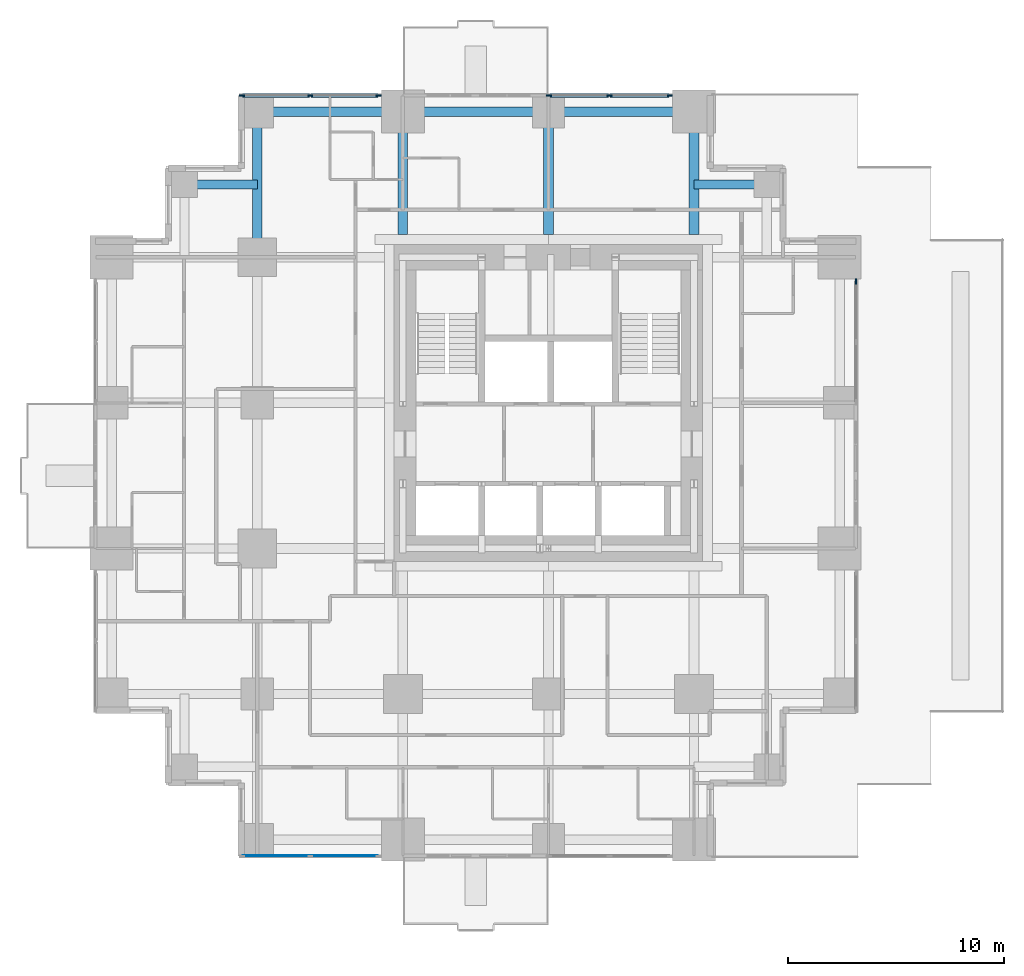
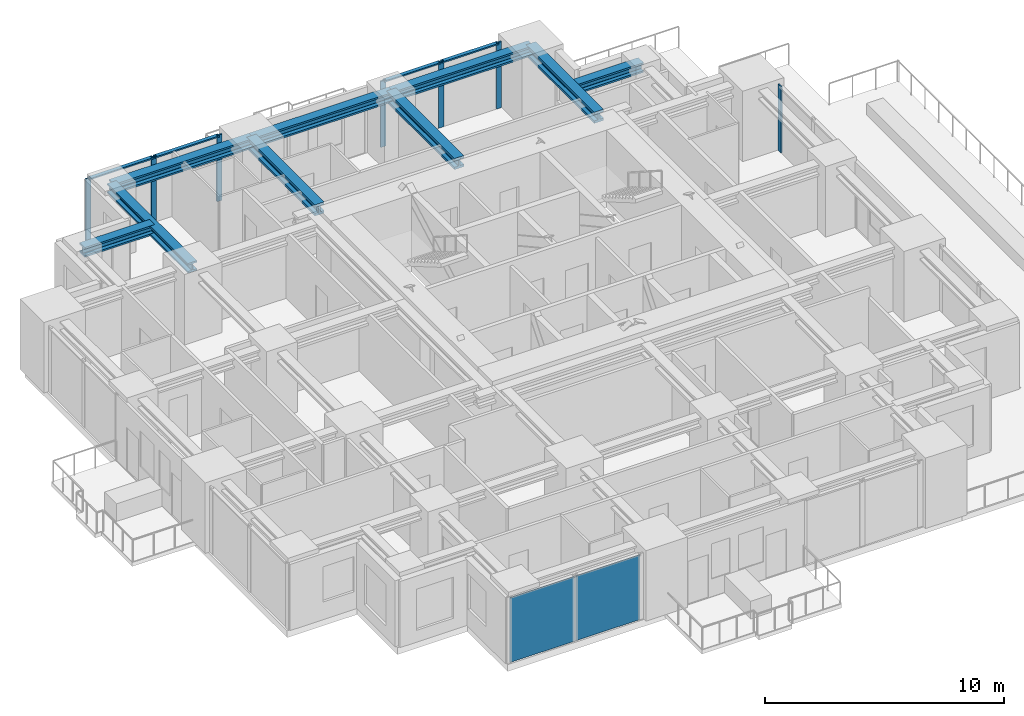
# One storey, part 3 of 10: 11 members, 9 beams, 2 plates, 4 elements without a shape of their own.
"""IFC4 building model written with IfcOpenShell, lengths in metres."""

from ifc_helpers import new_model, si_unit, direction, frame, origin, origin_2d, place, context, subcontext, project, spatial, rectangle, i_section, extrude, material, layer, layer_set, material_profile, profile_set, type_object, element, aggregate, save


model = new_model("IFC4")

# Units and contexts
model_context = context("Model", 3, precision=1e-05, world=origin(), true_north=direction((0.0, 1.0)))
body_context = subcontext(model_context, "Body", "Model", "MODEL_VIEW")
ifc_project = project(units=[si_unit("LENGTHUNIT", "METRE"), si_unit("AREAUNIT", "SQUARE_METRE"), si_unit("VOLUMEUNIT", "CUBIC_METRE"), si_unit("PLANEANGLEUNIT", "RADIAN"), si_unit("MASSUNIT", "GRAM", prefix="KILO")], contexts=[model_context])

# Site, building, storey
site_placement = place(None, origin())
site = spatial("IfcSite", under=ifc_project, at=site_placement, CompositionType="ELEMENT")
building_placement = place(site_placement, origin())
building = spatial("IfcBuilding", under=site, at=building_placement, Name="Nyansa Garden Tower", CompositionType="ELEMENT")
storey_placement = place(building_placement, frame((0.0, 0.0, 142.199951171875)))
storey = spatial("IfcBuildingStorey", under=building, at=storey_placement, Name="L38", CompositionType="ELEMENT", Elevation=142.199951171875)

# Curtain wall, member
ifc_material_1 = material(Name="Black anodised aluminium, dark tinted double glazing", Category="aluminium")
curtain_wall_type = type_object("IfcCurtainWallType", Name="Inner skin curtain wall ISW-C", PredefinedType="USERDEFINED", material=ifc_material_1)
curtain_wall_1_placement = place(storey_placement, origin())
curtain_wall_1 = element("IfcCurtainWall", 1, at=curtain_wall_1_placement, inside=storey, type_object=curtain_wall_type, Name="Inner skin curtain wall L38 E", ObjectType="UNITISED CURTAIN WALL", PredefinedType="USERDEFINED")
ifc_material_2 = material(Name="Black anodised aluminium", Category="aluminium")
ifc_material_profile_1 = material_profile(ifc_material_2, rectangle(XDim=0.070068359375, YDim=0.25, at=origin_2d()), Name="Mullion 250x70")
ifc_profile_set_1 = profile_set([ifc_material_profile_1], Name="Black anodised aluminium")
member_type_1 = type_object("IfcMemberType", Name="Mullion ISW-C 250x70", PredefinedType="MULLION", material=ifc_profile_set_1)
member_1_placement = place(storey_placement, frame((34.5, 25.875, 0.0), z_axis=(0.0, 0.0, 1.0), x_axis=(-1.0, 0.0, 0.0)))
member_1 = element("IfcMember", 2, at=member_1_placement, type_object=member_type_1, Name="ISW-C mullion 3", PredefinedType="MULLION", context=body_context, shape_type="SweptSolid", body=[
    extrude(rectangle(XDim=0.070068359375, YDim=0.25, at=origin_2d()), origin(), (0.0, 0.0, 1.0), 3.375),
])
aggregate(curtain_wall_1, [member_1])

# Curtain wall, members
curtain_wall_2_placement = place(storey_placement, origin())
curtain_wall_2 = element("IfcCurtainWall", 3, at=curtain_wall_2_placement, inside=storey, type_object=curtain_wall_type, Name="Inner skin curtain wall L38 N", ObjectType="UNITISED CURTAIN WALL", PredefinedType="USERDEFINED")
member_2_placement = place(storey_placement, frame((12.375, 34.5, 0.0), z_axis=(0.0, 0.0, 1.0), x_axis=(0.0, -1.0, 0.0)))
member_2 = element("IfcMember", 4, at=member_2_placement, type_object=member_type_1, Name="ISW-C mullion 1", PredefinedType="MULLION", context=body_context, shape_type="SweptSolid", body=[
    extrude(rectangle(XDim=0.070068359375, YDim=0.25, at=origin_2d()), origin(), (0.0, 0.0, 1.0), 3.375),
])
member_3_placement = place(storey_placement, frame((9.205078125, 34.5, 0.0), z_axis=(0.0, 0.0, 1.0), x_axis=(0.0, -1.0, 0.0)))
member_3 = element("IfcMember", 5, at=member_3_placement, type_object=member_type_1, Name="ISW-C mullion 2", PredefinedType="MULLION", context=body_context, shape_type="SweptSolid", body=[
    extrude(rectangle(XDim=0.070068359375, YDim=0.25, at=origin_2d()), origin(), (0.0, 0.0, 1.0), 3.375),
])
member_4_placement = place(storey_placement, frame((6.034912109375, 34.5, 0.0), z_axis=(0.0, 0.0, 1.0), x_axis=(0.0, -1.0, 0.0)))
member_4 = element("IfcMember", 6, at=member_4_placement, type_object=member_type_1, Name="ISW-C mullion 3", PredefinedType="MULLION", context=body_context, shape_type="SweptSolid", body=[
    extrude(rectangle(XDim=0.070068359375, YDim=0.25, at=origin_2d()), origin(), (0.0, 0.0, 1.0), 3.375),
])

curtain_wall_3_placement = place(storey_placement, origin())
curtain_wall_3 = element("IfcCurtainWall", 7, at=curtain_wall_3_placement, inside=storey, type_object=curtain_wall_type, Name="Inner skin curtain wall L38 N", ObjectType="UNITISED CURTAIN WALL", PredefinedType="USERDEFINED")
member_5_placement = place(storey_placement, frame((25.875, 34.5, 0.0), z_axis=(0.0, 0.0, 1.0), x_axis=(0.0, -1.0, 0.0)))
member_5 = element("IfcMember", 8, at=member_5_placement, type_object=member_type_1, Name="ISW-C mullion 1", PredefinedType="MULLION", context=body_context, shape_type="SweptSolid", body=[
    extrude(rectangle(XDim=0.070068359375, YDim=0.25, at=origin_2d()), origin(), (0.0, 0.0, 1.0), 3.375),
])
member_6_placement = place(storey_placement, frame((23.080078125, 34.5, 0.0), z_axis=(0.0, 0.0, 1.0), x_axis=(0.0, -1.0, 0.0)))
member_6 = element("IfcMember", 9, at=member_6_placement, type_object=member_type_1, Name="ISW-C mullion 2", PredefinedType="MULLION", context=body_context, shape_type="SweptSolid", body=[
    extrude(rectangle(XDim=0.070068359375, YDim=0.25, at=origin_2d()), origin(), (0.0, 0.0, 1.0), 3.375),
])
member_7_placement = place(storey_placement, frame((20.284912109375, 34.5, 0.0), z_axis=(0.0, 0.0, 1.0), x_axis=(0.0, -1.0, 0.0)))
member_7 = element("IfcMember", 10, at=member_7_placement, type_object=member_type_1, Name="ISW-C mullion 3", PredefinedType="MULLION", context=body_context, shape_type="SweptSolid", body=[
    extrude(rectangle(XDim=0.070068359375, YDim=0.25, at=origin_2d()), origin(), (0.0, 0.0, 1.0), 3.375),
])

# Beams
ifc_material_3 = material(Name="Steel S355", Category="steel")
ifc_material_profile_2 = material_profile(ifc_material_3, i_section(OverallWidth=0.431884765625, OverallDepth=0.498046875, WebThickness=0.0556640625, FlangeThickness=0.0888671875, FilletRadius=0.014892578125, at=origin_2d()), Name="HD 400x744")
ifc_profile_set_2 = profile_set([ifc_material_profile_2], Name="Steel S355")
beam_type_1 = type_object("IfcBeamType", Name="Steel beam SBC2-744 HD 400x744", PredefinedType="BEAM", material=ifc_profile_set_2)
beam_placement = place(storey_placement, frame((6.75, 27.0, 3.1259765625), z_axis=(0.0, 1.0, 0.0), x_axis=(-1.0, 0.0, 0.0)))
element("IfcBeam", 11, at=beam_placement, inside=storey, type_object=beam_type_1, Name="Steel beam 3/H-3/J L39", PredefinedType="BEAM", context=body_context, shape_type="SweptSolid", body=[
    extrude(i_section(OverallWidth=0.431884765625, OverallDepth=0.498046875, WebThickness=0.0556640625, FlangeThickness=0.0888671875, FilletRadius=0.014892578125, at=origin_2d()), origin(), (0.0, 0.0, 1.0), 6.75),
])
ifc_material_4 = material(Name="Steel S355", Category="steel")
ifc_material_profile_3 = material_profile(ifc_material_4, i_section(OverallWidth=0.4541015625, OverallDepth=0.569091796875, WebThickness=0.077880859375, FlangeThickness=0.125, FilletRadius=0.014892578125, at=origin_2d()), Name="HD 400x1086")
ifc_profile_set_3 = profile_set([ifc_material_profile_3], Name="Steel S355")
beam_type_2 = type_object("IfcBeamType", Name="Steel beam SCL-1086 HD 400x1086", PredefinedType="BEAM", material=ifc_profile_set_3)
for number, where, z_axis, x_axis, name in (
    (12, (13.5, 28.050048828125, 3.090576171875), (0.0, 1.0, 0.0), (-1.0, 0.0, 0.0), "Steel beam 4/28.050-4/J L39"),
    (13, (20.25, 28.050048828125, 3.090576171875), (0.0, 1.0, 0.0), (-1.0, 0.0, 0.0), "Steel beam 5/28.050-5/J L39"),
    (14, (27.0, 28.050048828125, 3.090576171875), (0.0, 1.0, 0.0), (-1.0, 0.0, 0.0), "Steel beam 6/28.050-6/J L39"),
):
    element("IfcBeam", number, at=place(storey_placement, frame(where, z_axis=z_axis, x_axis=x_axis)), inside=storey, type_object=beam_type_2, Name=name, PredefinedType="BEAM", context=body_context, shape_type="SweptSolid", body=[
        extrude(i_section(OverallWidth=0.4541015625, OverallDepth=0.569091796875, WebThickness=0.077880859375, FlangeThickness=0.125, FilletRadius=0.014892578125, at=origin_2d()), origin(), (0.0, 0.0, 1.0), 5.699951171875),
    ])
ifc_material_5 = material(Name="Steel S355", Category="steel")
ifc_material_profile_4 = material_profile(ifc_material_5, i_section(OverallWidth=0.431884765625, OverallDepth=0.498046875, WebThickness=0.0556640625, FlangeThickness=0.0888671875, FilletRadius=0.014892578125, at=origin_2d()), Name="HD 400x744")
ifc_profile_set_4 = profile_set([ifc_material_profile_4], Name="Steel S355")
beam_type_3 = type_object("IfcBeamType", Name="Steel beam SEBC-744 HD 400x744", PredefinedType="BEAM", material=ifc_profile_set_4)
for number, where, z_axis, x_axis, name in (
    (15, (6.75, 33.75, 3.1259765625), (1.0, 0.0, 0.0), (0.0, 1.0, 0.0), "Steel edge beam 3/J-4/J L39"),
    (16, (13.5, 33.75, 3.1259765625), (1.0, 0.0, 0.0), (0.0, 1.0, 0.0), "Steel edge beam 4/J-5/J L39"),
    (17, (20.25, 33.75, 3.1259765625), (1.0, 0.0, 0.0), (0.0, 1.0, 0.0), "Steel edge beam 5/J-6/J L39"),
):
    element("IfcBeam", number, at=place(storey_placement, frame(where, z_axis=z_axis, x_axis=x_axis)), inside=storey, type_object=beam_type_3, Name=name, PredefinedType="BEAM", context=body_context, shape_type="SweptSolid", body=[
        extrude(i_section(OverallWidth=0.431884765625, OverallDepth=0.498046875, WebThickness=0.0556640625, FlangeThickness=0.0888671875, FilletRadius=0.014892578125, at=origin_2d()), origin(), (0.0, 0.0, 1.0), 6.75),
    ])
ifc_material_6 = material(Name="Steel S355", Category="steel")
ifc_material_profile_5 = material_profile(ifc_material_6, i_section(OverallWidth=0.431884765625, OverallDepth=0.498046875, WebThickness=0.0556640625, FlangeThickness=0.0888671875, FilletRadius=0.014892578125, at=origin_2d()), Name="HD 400x744")
ifc_profile_set_5 = profile_set([ifc_material_profile_5], Name="Steel S355")
beam_type_4 = type_object("IfcBeamType", Name="Steel beam SSB1-744 HD 400x744", PredefinedType="BEAM", material=ifc_profile_set_5)
for number, where, z_axis, x_axis, name in (
    (18, (30.375, 30.375, 3.1259765625), (-1.0, 0.0, 0.0), (0.0, -1.0, 0.0), "Steel step beam 30.375/30.375 L39"),
    (19, (3.375, 30.375, 3.1259765625), (1.0, 0.0, 0.0), (0.0, 1.0, 0.0), "Steel step beam 3.375/30.375 L39"),
):
    element("IfcBeam", number, at=place(storey_placement, frame(where, z_axis=z_axis, x_axis=x_axis)), inside=storey, type_object=beam_type_4, Name=name, PredefinedType="BEAM", context=body_context, shape_type="SweptSolid", body=[
        extrude(i_section(OverallWidth=0.431884765625, OverallDepth=0.498046875, WebThickness=0.0556640625, FlangeThickness=0.0888671875, FilletRadius=0.014892578125, at=origin_2d()), origin(), (0.0, 0.0, 1.0), 3.375),
    ])

# Member
ifc_material_7 = material(Name="Black anodised aluminium", Category="aluminium")
ifc_material_profile_6 = material_profile(ifc_material_7, rectangle(XDim=0.179931640625, YDim=0.070068359375, at=origin_2d()), Name="Transom 180x70")
ifc_profile_set_6 = profile_set([ifc_material_profile_6], Name="Black anodised aluminium")
member_type_2 = type_object("IfcMemberType", Name="Transom ISW-C 180x70", PredefinedType="USERDEFINED", material=ifc_profile_set_6)
member_8_placement = place(storey_placement, frame((12.340087890625, 34.5, 3.340087890625), z_axis=(-1.0, 0.0, 0.0), x_axis=(0.0, -1.0, 0.0)))
member_8 = element("IfcMember", 20, at=member_8_placement, type_object=member_type_2, Name="ISW-C transom 1", ObjectType="TRANSOM", PredefinedType="USERDEFINED", context=body_context, shape_type="SweptSolid", body=[
    extrude(rectangle(XDim=0.179931640625, YDim=0.070068359375, at=origin_2d()), origin(), (0.0, 0.0, 1.0), 3.10009765625),
])

member_9_placement = place(storey_placement, frame((9.169921875, 34.5, 3.340087890625), z_axis=(-1.0, 0.0, 0.0), x_axis=(0.0, -1.0, 0.0)))
member_9 = element("IfcMember", 21, at=member_9_placement, type_object=member_type_2, Name="ISW-C transom 2", ObjectType="TRANSOM", PredefinedType="USERDEFINED", context=body_context, shape_type="SweptSolid", body=[
    extrude(rectangle(XDim=0.179931640625, YDim=0.070068359375, at=origin_2d()), origin(), (0.0, 0.0, 1.0), 3.099853515625),
])

aggregate(curtain_wall_2, [member_2, member_3, member_4, member_8, member_9])

member_10_placement = place(storey_placement, frame((25.840087890625, 34.5, 3.340087890625), z_axis=(-1.0, 0.0, 0.0), x_axis=(0.0, -1.0, 0.0)))
member_10 = element("IfcMember", 22, at=member_10_placement, type_object=member_type_2, Name="ISW-C transom 1", ObjectType="TRANSOM", PredefinedType="USERDEFINED", context=body_context, shape_type="SweptSolid", body=[
    extrude(rectangle(XDim=0.179931640625, YDim=0.070068359375, at=origin_2d()), origin(), (0.0, 0.0, 1.0), 2.72509765625),
])

member_11_placement = place(storey_placement, frame((23.044921875, 34.5, 3.340087890625), z_axis=(-1.0, 0.0, 0.0), x_axis=(0.0, -1.0, 0.0)))
member_11 = element("IfcMember", 23, at=member_11_placement, type_object=member_type_2, Name="ISW-C transom 2", ObjectType="TRANSOM", PredefinedType="USERDEFINED", context=body_context, shape_type="SweptSolid", body=[
    extrude(rectangle(XDim=0.179931640625, YDim=0.070068359375, at=origin_2d()), origin(), (0.0, 0.0, 1.0), 2.724853515625),
])

aggregate(curtain_wall_3, [member_5, member_6, member_7, member_10, member_11])

# Curtain wall, plates
curtain_wall_4_placement = place(storey_placement, origin())
curtain_wall_4 = element("IfcCurtainWall", 24, at=curtain_wall_4_placement, inside=storey, type_object=curtain_wall_type, Name="Inner skin curtain wall L38 S", ObjectType="UNITISED CURTAIN WALL", PredefinedType="USERDEFINED")
ifc_material_8 = material(Name="Dark tinted laminated double glazing", Category="glass")
ifc_layer = layer(ifc_material_8, 0.0400390625)
ifc_layer_set = layer_set([ifc_layer], Name="Dark tinted vision panel VP-C")
plate_type = type_object("IfcPlateType", Name="Dark tinted vision panel VP-C", PredefinedType="CURTAIN_PANEL", material=ifc_layer_set)
plate_1_placement = place(storey_placement, frame((7.6201171875, -0.75, 0.0), z_axis=(0.0, 0.0, 1.0), x_axis=(1.0, 0.0, 0.0)))
plate_1 = element("IfcPlate", 25, at=plate_1_placement, type_object=plate_type, Name="ISW-C panel 1", PredefinedType="CURTAIN_PANEL", context=body_context, shape_type="SweptSolid", body=[
    extrude(rectangle(XDim=3.10009765625, YDim=0.0400390625, at=origin_2d()), origin(), (0.0, 0.0, 1.0), 3.304931640625),
])
plate_2_placement = place(storey_placement, frame((10.7900390625, -0.75, 0.0), z_axis=(0.0, 0.0, 1.0), x_axis=(1.0, 0.0, 0.0)))
plate_2 = element("IfcPlate", 26, at=plate_2_placement, type_object=plate_type, Name="ISW-C panel 2", PredefinedType="CURTAIN_PANEL", context=body_context, shape_type="SweptSolid", body=[
    extrude(rectangle(XDim=3.10009765625, YDim=0.0400390625, at=origin_2d()), origin(), (0.0, 0.0, 1.0), 3.304931640625),
])
aggregate(curtain_wall_4, [plate_1, plate_2])

save(model, "model.ifc")
